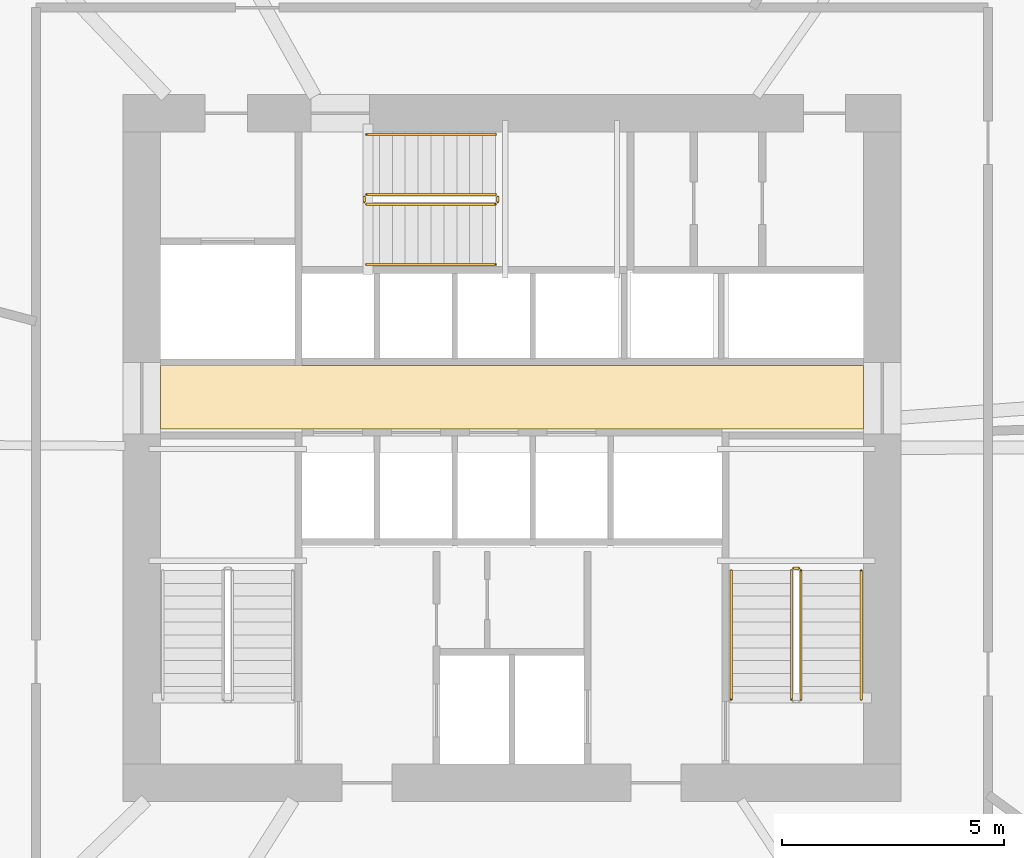
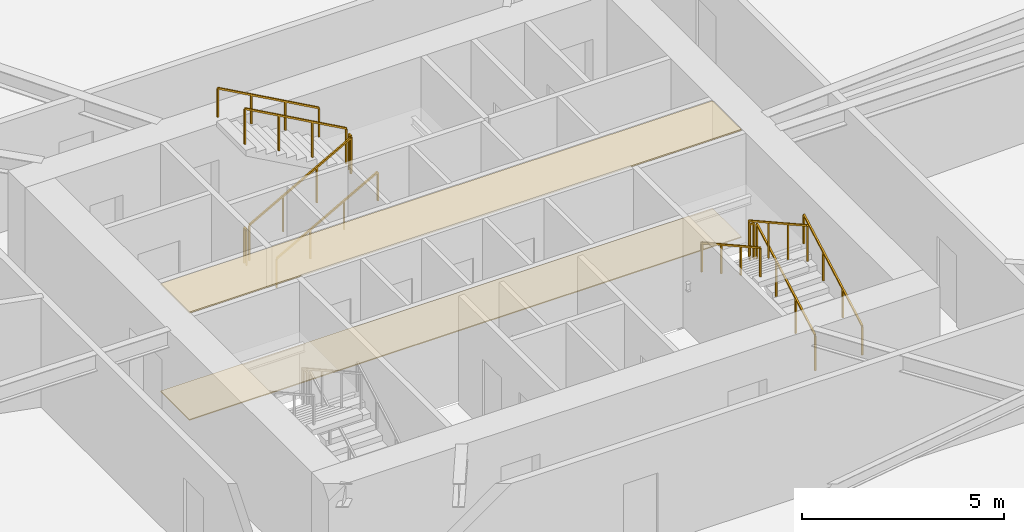
# One storey, part 23 of 24: 11 railings, 2 coverings.
"""IFC4 building model written with IfcOpenShell, lengths in metres."""

import ifcopenshell
import ifcopenshell.guid

model = None  # the IFC model being written
_history = None  # IfcOwnerHistory: only IFC2X3 demands one
_inside = {}  # id of a spatial element -> (the spatial element, [elements in it])
_under = {}  # id of a project, library or spatial element -> (it, [spatial elements below it])
_declared = {}  # id of a project -> (the project, [libraries it declares])
_typed = {}  # id of a type object -> (the type object, [elements of that type])
_made_of = {}  # id of a material, layer set ... -> (it, [elements and type objects made of it])


def new_model(schema):
    """Start an empty IFC model of exactly this schema.

    Asked for "IFC4X3", IfcOpenShell would pick the latest addendum, in which some entities
    have other attributes; the version numbers below select the first issue.
    IFC2X3 requires an IfcOwnerHistory on every rooted entity: one is made here for all.
    """
    global model, _history
    if schema == "IFC4X3":
        model = ifcopenshell.file(schema_version=(4, 3, 0, 0))
    else:
        model = ifcopenshell.file(schema=schema)
    _inside.clear()
    _under.clear()
    _declared.clear()
    _typed.clear()
    _made_of.clear()
    _history = None
    if model.schema == "IFC2X3":
        org = make("IfcOrganization", Name="unknown")
        user = make(
            "IfcPersonAndOrganization",
            ThePerson=make("IfcPerson", FamilyName="unknown"),
            TheOrganization=org,
        )
        app = make(
            "IfcApplication",
            ApplicationDeveloper=org,
            Version="unknown",
            ApplicationFullName="unknown",
            ApplicationIdentifier="unknown",
        )
        _history = make(
            "IfcOwnerHistory",
            OwningUser=user,
            OwningApplication=app,
            ChangeAction="ADDED",
            CreationDate=0,
        )
    return model


def make(cls, **values):
    """One entity of the class cls with the attributes given. An attribute that is None is left unset."""
    return model.create_entity(
        cls, **{name: value for name, value in values.items() if value is not None}
    )


def rooted(cls, **values):
    """An entity with a GlobalId (a new one), such as an element, a storey or a relation."""
    return make(cls, GlobalId=ifcopenshell.guid.new(), OwnerHistory=_history, **values)


def si_unit(unit_type, name, prefix=None):
    """IfcSIUnit, for example si_unit("LENGTHUNIT", "METRE", prefix="MILLI")."""
    return make("IfcSIUnit", UnitType=unit_type, Prefix=prefix, Name=name)


def assignment(units):
    """IfcUnitAssignment: the units of a project."""
    return None if units is None else make("IfcUnitAssignment", Units=units)


def point(xyz):
    """IfcCartesianPoint."""
    return None if xyz is None else make("IfcCartesianPoint", Coordinates=xyz)


def direction(xyz):
    """IfcDirection."""
    return None if xyz is None else make("IfcDirection", DirectionRatios=xyz)


def frame(location, z_axis=None, x_axis=None):
    """IfcAxis2Placement3D, a coordinate frame: its origin and axes. An axis left out is left unset."""
    return make(
        "IfcAxis2Placement3D",
        Location=point(location),
        Axis=direction(z_axis),
        RefDirection=direction(x_axis),
    )


def frame_2d(location, x_axis=None):
    """IfcAxis2Placement2D, a coordinate frame in the plane: its origin and x axis."""
    return make(
        "IfcAxis2Placement2D", Location=point(location), RefDirection=direction(x_axis)
    )


def origin():
    """The frame at (0, 0, 0) with its axes left unset."""
    return frame((0.0, 0.0, 0.0))


def origin_2d():
    """The frame at (0, 0) in the plane with its x axis left unset."""
    return frame_2d((0.0, 0.0))


def place(relative_to, where):
    """IfcLocalPlacement: puts the frame where relative to a parent placement (None: the world)."""
    return make(
        "IfcLocalPlacement", PlacementRelTo=relative_to, RelativePlacement=where
    )


def context(
    kind, dimensions, precision=None, world=None, true_north=None, identifier=None
):
    """IfcGeometricRepresentationContext, for example the 3D "Model" context."""
    return make(
        "IfcGeometricRepresentationContext",
        ContextIdentifier=identifier,
        ContextType=kind,
        CoordinateSpaceDimension=dimensions,
        Precision=precision,
        WorldCoordinateSystem=world,
        TrueNorth=true_north,
    )


def subcontext(parent, identifier, kind, view, scale=None):
    """IfcGeometricRepresentationSubContext, for example "Body" below "Model"."""
    return make(
        "IfcGeometricRepresentationSubContext",
        ContextIdentifier=identifier,
        ContextType=kind,
        ParentContext=parent,
        TargetScale=scale,
        TargetView=view,
    )


def project(units=None, contexts=None):
    """IfcProject with its units and contexts."""
    return rooted(
        "IfcProject",
        Name="project",
        RepresentationContexts=contexts,
        UnitsInContext=assignment(units),
    )


def spatial(cls, under=None, at=None, **own):
    """A site, building, storey or space (cls), placed at a placement, below another one or the project."""
    s = rooted(cls, ObjectPlacement=at, **own)
    if under is not None:
        _under.setdefault(under.id(), (under, []))[1].append(s)
    return s


def polyline(points):
    """IfcPolyline through the points."""
    return make("IfcPolyline", Points=[point(p) for p in points])


def profile(cls, at=None, kind="AREA", **sizes):
    """A parametric profile (cls). Its sizes go by their IFC names, for example OverallWidth=200.0."""
    return make(cls, ProfileType=kind, Position=at, **sizes)


def rectangle(**sizes):
    """IfcRectangleProfileDef."""
    return profile("IfcRectangleProfileDef", **sizes)


def outline(outer, holes=None, kind="AREA"):
    """IfcArbitraryClosedProfileDef: a profile drawn as a closed curve; with holes, ...WithVoids."""
    if holes is None:
        return make("IfcArbitraryClosedProfileDef", ProfileType=kind, OuterCurve=outer)
    return make(
        "IfcArbitraryProfileDefWithVoids",
        ProfileType=kind,
        OuterCurve=outer,
        InnerCurves=holes,
    )


def extrude(swept, where, along, depth):
    """IfcExtrudedAreaSolid: the profile swept, set in the frame where, extruded along a direction by depth."""
    return make(
        "IfcExtrudedAreaSolid",
        SweptArea=swept,
        Position=where,
        ExtrudedDirection=direction(along),
        Depth=depth,
    )


def shape(context_of_items, identifier, shape_type, items):
    """IfcShapeRepresentation: the items that make up one representation, for example the "Body"."""
    return make(
        "IfcShapeRepresentation",
        ContextOfItems=context_of_items,
        RepresentationIdentifier=identifier,
        RepresentationType=shape_type,
        Items=items,
    )


def material(Name=None, Category=None):
    """IfcMaterial."""
    return make("IfcMaterial", Name=Name, Category=Category)


def layer(
    of_material, thickness, ventilated=None, Name=None, Category=None, Priority=None
):
    """IfcMaterialLayer: one layer of a wall or slab, of a material (None: an air gap)."""
    return make(
        "IfcMaterialLayer",
        Material=of_material,
        LayerThickness=thickness,
        IsVentilated=ventilated,
        Name=Name,
        Category=Category,
        Priority=Priority,
    )


def layer_set(layers, Name=None):
    """IfcMaterialLayerSet."""
    return make("IfcMaterialLayerSet", MaterialLayers=layers, LayerSetName=Name)


def made_of(thing, what):
    """Note that an element or type object is made of a material, layer set ...; save() writes the relation."""
    if what is not None:
        _made_of.setdefault(what.id(), (what, []))[1].append(thing)
    return thing


def type_object(cls, material=None, **own):
    """A type object (cls), such as IfcWallType, which elements share."""
    return made_of(rooted(cls, **own), material)


def element(
    cls,
    number,
    at=None,
    inside=None,
    cuts=None,
    type_object=None,
    material=None,
    context=None,
    identifier="Body",
    shape_type=None,
    held_by="IfcProductDefinitionShape",
    body=None,
    shapes=None,
    **own,
):
    """One element of the class cls, such as IfcWall. Its Tag is "e" and its number.

    at: its placement. inside: the storey or other place that contains it. cuts: it is an
    opening in that element (IfcRelVoidsElement). A single representation is given by context,
    identifier, shape_type and body (its items); several are given by shapes. held_by: the class
    of the entity that holds the representations. save() writes the other relations.
    """
    e = rooted(cls, Tag="e%d" % number, ObjectPlacement=at, **own)
    if body is not None:
        shapes = [shape(context, identifier, shape_type, body)]
    if shapes is not None:
        e.Representation = make(held_by, Representations=shapes)
    if inside is not None:
        _inside.setdefault(inside.id(), (inside, []))[1].append(e)
    if cuts is not None:
        rooted(
            "IfcRelVoidsElement", RelatingBuildingElement=cuts, RelatedOpeningElement=e
        )
    if type_object is not None:
        _typed.setdefault(type_object.id(), (type_object, []))[1].append(e)
    return made_of(e, material)


def aggregate(whole, parts):
    """IfcRelAggregates: a whole, such as a stair, and the parts it consists of."""
    return rooted("IfcRelAggregates", RelatingObject=whole, RelatedObjects=parts)


def save(model, path):
    """Write the relations noted so far, then the file.

    IfcRelAggregates (storeys below a building ...), IfcRelContainedInSpatialStructure (elements
    in a storey), IfcRelDefinesByType, IfcRelAssociatesMaterial and IfcRelDeclares: one each for
    every whole, place, type object, material and project.
    """
    for whole, parts in _under.values():
        aggregate(whole, parts)
    for where, things in _inside.values():
        rooted(
            "IfcRelContainedInSpatialStructure",
            RelatedElements=things,
            RelatingStructure=where,
        )
    for kind, things in _typed.values():
        rooted("IfcRelDefinesByType", RelatedObjects=things, RelatingType=kind)
    for what, things in _made_of.values():
        rooted("IfcRelAssociatesMaterial", RelatedObjects=things, RelatingMaterial=what)
    for by, libraries in _declared.values():
        rooted("IfcRelDeclares", RelatingContext=by, RelatedDefinitions=libraries)
    model.write(path)


model = new_model("IFC4")

# Units and contexts
model_context = context("Model", 3, precision=1e-05, world=origin(), true_north=direction((0.0, 1.0)))
body_context = subcontext(model_context, "Body", "Model", "MODEL_VIEW")
ifc_project = project(units=[si_unit("LENGTHUNIT", "METRE"), si_unit("AREAUNIT", "SQUARE_METRE"), si_unit("VOLUMEUNIT", "CUBIC_METRE"), si_unit("PLANEANGLEUNIT", "RADIAN"), si_unit("MASSUNIT", "GRAM", prefix="KILO")], contexts=[model_context])

# Site, building, storey
site_placement = place(None, origin())
site = spatial("IfcSite", under=ifc_project, at=site_placement, CompositionType="ELEMENT")
building_placement = place(site_placement, origin())
building = spatial("IfcBuilding", under=site, at=building_placement, Name="Olszyna Solenne Hotel", CompositionType="ELEMENT")
storey_placement = place(building_placement, frame((0.0, 0.0, 36.39990234375)))
storey = spatial("IfcBuildingStorey", under=building, at=storey_placement, Name="L08", CompositionType="ELEMENT", Elevation=36.39990234375)

# Coverings
ifc_material_1 = material(Name="Mineral wool acoustic ceiling")
ifc_layer_1 = layer(ifc_material_1, 0.0400390625, Name="Mineral wool acoustic ceiling")
ifc_layer_set_1 = layer_set([ifc_layer_1], Name="Mineral wool acoustic ceiling")
covering_type_1 = type_object("IfcCoveringType", Name="CL-AC1", PredefinedType="CEILING", material=ifc_layer_set_1)
covering_1_placement = place(storey_placement, frame((0.0, 0.0, 3.239990234375)))
element("IfcCovering", 1, at=covering_1_placement, inside=storey, type_object=covering_type_1, Name="Lift lobby acoustic tile ceiling CL-L08-01", PredefinedType="CEILING", context=body_context, shape_type="SweptSolid", body=[
    extrude(outline(polyline([(30.10009765625, 27.030029296875), (45.89990234375, 27.030029296875), (45.89990234375, 28.4599609375), (30.10009765625, 28.4599609375), (30.10009765625, 27.030029296875)])), origin(), (0.0, 0.0, 1.0), 0.0400390625),
])
ifc_material_2 = material(Name="Ceramic floor tile")
ifc_layer_2 = layer(ifc_material_2, 0.030029296875, Name="Ceramic floor tile")
ifc_layer_set_2 = layer_set([ifc_layer_2], Name="Ceramic floor tile")
covering_type_2 = type_object("IfcCoveringType", Name="FL-TL1", PredefinedType="FLOORING", material=ifc_layer_set_2)
covering_2_placement = place(storey_placement, origin())
element("IfcCovering", 2, at=covering_2_placement, inside=storey, type_object=covering_type_2, Name="Lift lobby stoneware floor finish FLR-L08-01", PredefinedType="FLOORING", context=body_context, shape_type="SweptSolid", body=[
    extrude(outline(polyline([(30.10009765625, 27.030029296875), (45.89990234375, 27.030029296875), (45.89990234375, 28.4599609375), (30.10009765625, 28.4599609375), (30.10009765625, 27.030029296875)])), origin(), (0.0, 0.0, 1.0), 0.030029296875),
])

# Railings
ifc_material_3 = material(Name="Anodised bronze aluminium", Category="aluminium")
railing_type_1 = type_object("IfcRailingType", Name="GR-110", PredefinedType="BALUSTRADE", material=ifc_material_3)
railing_1_placement = place(storey_placement, frame((44.5, 20.949951171875, 0.161376953125)))
element("IfcRailing", 3, at=railing_1_placement, inside=storey, type_object=railing_type_1, Name="L08 ST2 stair guard 1", PredefinedType="BALUSTRADE", context=body_context, shape_type="SweptSolid", body=[
    extrude(rectangle(XDim=0.048095703125, YDim=0.048095703125, at=origin_2d()), frame((0.0, 0.0, 1.076171875), z_axis=(0.0, 0.873827439584, 0.48623616261), x_axis=(-1.0, 0.0, 0.0)), (0.0, 0.0, 1.0), 3.31884765625),
    extrude(rectangle(XDim=0.0419921875, YDim=0.0419921875, at=origin_2d()), origin(), (0.0, 0.0, 1.0), 1.052001953125),
    extrude(rectangle(XDim=0.0419921875, YDim=0.0419921875, at=origin_2d()), frame((0.0, 0.966796875, 0.537841796875)), (0.0, 0.0, 1.0), 1.052001953125),
    extrude(rectangle(XDim=0.0419921875, YDim=0.0419921875, at=origin_2d()), frame((0.0, 1.933349609375, 1.075927734375)), (0.0, 0.0, 1.0), 1.052001953125),
    extrude(rectangle(XDim=0.0419921875, YDim=0.0419921875, at=origin_2d()), frame((0.0, 2.900146484375, 1.61376953125)), (0.0, 0.0, 1.0), 1.052001953125),
])
railing_2_placement = place(storey_placement, frame((44.449951171875, 23.89990234375, 1.775146484375)))
element("IfcRailing", 4, at=railing_2_placement, inside=storey, type_object=railing_type_1, Name="L08 ST2 stair guard 2", PredefinedType="BALUSTRADE", context=body_context, shape_type="SweptSolid", body=[
    extrude(rectangle(XDim=0.048095703125, YDim=0.048095703125, at=origin_2d()), frame((0.0, 0.0, 1.076171875), z_axis=(-1.0, 0.0, 0.0), x_axis=(0.0, -1.0, 0.0)), (0.0, 0.0, 1.0), 0.119873046875),
    extrude(rectangle(XDim=0.0419921875, YDim=0.0419921875, at=origin_2d()), origin(), (0.0, 0.0, 1.0), 1.052001953125),
    extrude(rectangle(XDim=0.0419921875, YDim=0.0419921875, at=origin_2d()), frame((-0.119873046875, 0.0, 0.0)), (0.0, 0.0, 1.0), 1.052001953125),
])
railing_3_placement = place(storey_placement, frame((44.280029296875, 23.85009765625, 1.9365234375)))
element("IfcRailing", 5, at=railing_3_placement, inside=storey, type_object=railing_type_1, Name="L08 ST2 stair guard 3", PredefinedType="BALUSTRADE", context=body_context, shape_type="SweptSolid", body=[
    extrude(rectangle(XDim=0.048095703125, YDim=0.048095703125, at=origin_2d()), frame((0.0, 0.0, 1.076171875), z_axis=(0.0, -0.873858693841, 0.486179990537), x_axis=(1.0, 0.0, 0.0)), (0.0, 0.0, 1.0), 3.31884765625),
    extrude(rectangle(XDim=0.0419921875, YDim=0.0419921875, at=origin_2d()), origin(), (0.0, 0.0, 1.0), 1.052001953125),
    extrude(rectangle(XDim=0.0419921875, YDim=0.0419921875, at=origin_2d()), frame((0.0, -0.966796875, 0.537841796875)), (0.0, 0.0, 1.0), 1.052001953125),
    extrude(rectangle(XDim=0.0419921875, YDim=0.0419921875, at=origin_2d()), frame((0.0, -1.933349609375, 1.07568359375)), (0.0, 0.0, 1.0), 1.052001953125),
    extrude(rectangle(XDim=0.0419921875, YDim=0.0419921875, at=origin_2d()), frame((0.0, -2.900146484375, 1.613525390625)), (0.0, 0.0, 1.0), 1.052001953125),
])
railing_4_placement = place(storey_placement, frame((34.72998046875, 32.080078125, 0.161376953125)))
element("IfcRailing", 6, at=railing_4_placement, inside=storey, type_object=railing_type_1, Name="L08 ST3 stair guard 1", PredefinedType="BALUSTRADE", context=body_context, shape_type="SweptSolid", body=[
    extrude(rectangle(XDim=0.048095703125, YDim=0.048095703125, at=origin_2d()), frame((0.0, 0.0, 1.076171875), z_axis=(0.873810046276, 0.0, 0.486267419253), x_axis=(0.0, 1.0, 0.0)), (0.0, 0.0, 1.0), 3.318603515625),
    extrude(rectangle(XDim=0.0419921875, YDim=0.0419921875, at=origin_2d()), origin(), (0.0, 0.0, 1.0), 1.052001953125),
    extrude(rectangle(XDim=0.0419921875, YDim=0.0419921875, at=origin_2d()), frame((0.966552734375, 0.0, 0.537841796875)), (0.0, 0.0, 1.0), 1.052001953125),
    extrude(rectangle(XDim=0.0419921875, YDim=0.0419921875, at=origin_2d()), frame((1.933349609375, 0.0, 1.075927734375)), (0.0, 0.0, 1.0), 1.052001953125),
    extrude(rectangle(XDim=0.0419921875, YDim=0.0419921875, at=origin_2d()), frame((2.89990234375, 0.0, 1.61376953125)), (0.0, 0.0, 1.0), 1.052001953125),
])
railing_5_placement = place(storey_placement, frame((37.679931640625, 32.1298828125, 1.775146484375)))
element("IfcRailing", 7, at=railing_5_placement, inside=storey, type_object=railing_type_1, Name="L08 ST3 stair guard 2", PredefinedType="BALUSTRADE", context=body_context, shape_type="SweptSolid", body=[
    extrude(rectangle(XDim=0.048095703125, YDim=0.048095703125, at=origin_2d()), frame((0.0, 0.0, 1.076171875), z_axis=(0.0, 1.0, 0.0), x_axis=(-1.0, 0.0, 0.0)), (0.0, 0.0, 1.0), 0.1201171875),
    extrude(rectangle(XDim=0.0419921875, YDim=0.0419921875, at=origin_2d()), origin(), (0.0, 0.0, 1.0), 1.052001953125),
    extrude(rectangle(XDim=0.0419921875, YDim=0.0419921875, at=origin_2d()), frame((0.0, 0.1201171875, 0.0)), (0.0, 0.0, 1.0), 1.052001953125),
])
railing_6_placement = place(storey_placement, frame((37.6298828125, 32.300048828125, 1.9365234375)))
element("IfcRailing", 8, at=railing_6_placement, inside=storey, type_object=railing_type_1, Name="L08 ST3 stair guard 3", PredefinedType="BALUSTRADE", context=body_context, shape_type="SweptSolid", body=[
    extrude(rectangle(XDim=0.048095703125, YDim=0.048095703125, at=origin_2d()), frame((0.0, 0.0, 1.076171875), z_axis=(-0.873841303929, 0.0, 0.486211245805), x_axis=(0.0, -1.0, 0.0)), (0.0, 0.0, 1.0), 3.318603515625),
    extrude(rectangle(XDim=0.0419921875, YDim=0.0419921875, at=origin_2d()), origin(), (0.0, 0.0, 1.0), 1.052001953125),
    extrude(rectangle(XDim=0.0419921875, YDim=0.0419921875, at=origin_2d()), frame((-0.966552734375, 0.0, 0.537841796875)), (0.0, 0.0, 1.0), 1.052001953125),
    extrude(rectangle(XDim=0.0419921875, YDim=0.0419921875, at=origin_2d()), frame((-1.933349609375, 0.0, 1.07568359375)), (0.0, 0.0, 1.0), 1.052001953125),
    extrude(rectangle(XDim=0.0419921875, YDim=0.0419921875, at=origin_2d()), frame((-2.89990234375, 0.0, 1.613525390625)), (0.0, 0.0, 1.0), 1.052001953125),
])
railing_7_placement = place(storey_placement, frame((34.679931640625, 32.1298828125, 0.0)))
element("IfcRailing", 9, at=railing_7_placement, inside=storey, type_object=railing_type_1, Name="L08 ST3 stair guard 4", PredefinedType="BALUSTRADE", context=body_context, shape_type="SweptSolid", body=[
    extrude(rectangle(XDim=0.048095703125, YDim=0.048095703125, at=origin_2d()), frame((0.0, 0.0, 1.076171875), z_axis=(0.0, 1.0, 0.0), x_axis=(-1.0, 0.0, 0.0)), (0.0, 0.0, 1.0), 0.1201171875),
    extrude(rectangle(XDim=0.0419921875, YDim=0.0419921875, at=origin_2d()), origin(), (0.0, 0.0, 1.0), 1.052001953125),
    extrude(rectangle(XDim=0.0419921875, YDim=0.0419921875, at=origin_2d()), frame((0.0, 0.1201171875, 0.0)), (0.0, 0.0, 1.0), 1.052001953125),
])
ifc_material_4 = material(Name="Steel S355J2", Category="steel")
railing_type_2 = type_object("IfcRailingType", Name="HR-090", PredefinedType="HANDRAIL", material=ifc_material_4)
railing_8_placement = place(storey_placement, frame((45.85009765625, 20.949951171875, 0.161376953125)))
element("IfcRailing", 10, at=railing_8_placement, inside=storey, type_object=railing_type_2, Name="L08 ST2 stair handrail 1", PredefinedType="HANDRAIL", context=body_context, shape_type="SweptSolid", body=[
    extrude(rectangle(XDim=0.048095703125, YDim=0.048095703125, at=origin_2d()), frame((0.0, 0.0, 0.8759765625), z_axis=(0.0, 0.873827439584, 0.48623616261), x_axis=(-1.0, 0.0, 0.0)), (0.0, 0.0, 1.0), 3.31884765625),
    extrude(rectangle(XDim=0.0419921875, YDim=0.0419921875, at=origin_2d()), origin(), (0.0, 0.0, 1.0), 0.851806640625),
    extrude(rectangle(XDim=0.0419921875, YDim=0.0419921875, at=origin_2d()), frame((0.0, 0.966796875, 0.537841796875)), (0.0, 0.0, 1.0), 0.851806640625),
    extrude(rectangle(XDim=0.0419921875, YDim=0.0419921875, at=origin_2d()), frame((0.0, 1.933349609375, 1.075927734375)), (0.0, 0.0, 1.0), 0.851806640625),
    extrude(rectangle(XDim=0.0419921875, YDim=0.0419921875, at=origin_2d()), frame((0.0, 2.900146484375, 1.61376953125)), (0.0, 0.0, 1.0), 0.851806640625),
])
railing_9_placement = place(storey_placement, frame((42.929931640625, 23.85009765625, 1.9365234375)))
element("IfcRailing", 11, at=railing_9_placement, inside=storey, type_object=railing_type_2, Name="L08 ST2 stair handrail 2", PredefinedType="HANDRAIL", context=body_context, shape_type="SweptSolid", body=[
    extrude(rectangle(XDim=0.048095703125, YDim=0.048095703125, at=origin_2d()), frame((0.0, 0.0, 0.8759765625), z_axis=(0.0, -0.873858693841, 0.486179990537), x_axis=(1.0, 0.0, 0.0)), (0.0, 0.0, 1.0), 3.31884765625),
    extrude(rectangle(XDim=0.0419921875, YDim=0.0419921875, at=origin_2d()), origin(), (0.0, 0.0, 1.0), 0.851806640625),
    extrude(rectangle(XDim=0.0419921875, YDim=0.0419921875, at=origin_2d()), frame((0.0, -0.966796875, 0.537841796875)), (0.0, 0.0, 1.0), 0.851806640625),
    extrude(rectangle(XDim=0.0419921875, YDim=0.0419921875, at=origin_2d()), frame((0.0, -1.933349609375, 1.07568359375)), (0.0, 0.0, 1.0), 0.851806640625),
    extrude(rectangle(XDim=0.0419921875, YDim=0.0419921875, at=origin_2d()), frame((0.0, -2.900146484375, 1.613525390625)), (0.0, 0.0, 1.0), 0.851806640625),
])
railing_10_placement = place(storey_placement, frame((34.72998046875, 30.72998046875, 0.161376953125)))
element("IfcRailing", 12, at=railing_10_placement, inside=storey, type_object=railing_type_2, Name="L08 ST3 stair handrail 1", PredefinedType="HANDRAIL", context=body_context, shape_type="SweptSolid", body=[
    extrude(rectangle(XDim=0.048095703125, YDim=0.048095703125, at=origin_2d()), frame((0.0, 0.0, 0.8759765625), z_axis=(0.873810046276, 0.0, 0.486267419253), x_axis=(0.0, 1.0, 0.0)), (0.0, 0.0, 1.0), 3.318603515625),
    extrude(rectangle(XDim=0.0419921875, YDim=0.0419921875, at=origin_2d()), origin(), (0.0, 0.0, 1.0), 0.851806640625),
    extrude(rectangle(XDim=0.0419921875, YDim=0.0419921875, at=origin_2d()), frame((0.966552734375, 0.0, 0.537841796875)), (0.0, 0.0, 1.0), 0.851806640625),
    extrude(rectangle(XDim=0.0419921875, YDim=0.0419921875, at=origin_2d()), frame((1.933349609375, 0.0, 1.075927734375)), (0.0, 0.0, 1.0), 0.851806640625),
    extrude(rectangle(XDim=0.0419921875, YDim=0.0419921875, at=origin_2d()), frame((2.89990234375, 0.0, 1.61376953125)), (0.0, 0.0, 1.0), 0.851806640625),
])
railing_11_placement = place(storey_placement, frame((37.6298828125, 33.64990234375, 1.9365234375)))
element("IfcRailing", 13, at=railing_11_placement, inside=storey, type_object=railing_type_2, Name="L08 ST3 stair handrail 2", PredefinedType="HANDRAIL", context=body_context, shape_type="SweptSolid", body=[
    extrude(rectangle(XDim=0.048095703125, YDim=0.048095703125, at=origin_2d()), frame((0.0, 0.0, 0.8759765625), z_axis=(-0.873841303929, 0.0, 0.486211245805), x_axis=(0.0, -1.0, 0.0)), (0.0, 0.0, 1.0), 3.318603515625),
    extrude(rectangle(XDim=0.0419921875, YDim=0.0419921875, at=origin_2d()), origin(), (0.0, 0.0, 1.0), 0.851806640625),
    extrude(rectangle(XDim=0.0419921875, YDim=0.0419921875, at=origin_2d()), frame((-0.966552734375, 0.0, 0.537841796875)), (0.0, 0.0, 1.0), 0.851806640625),
    extrude(rectangle(XDim=0.0419921875, YDim=0.0419921875, at=origin_2d()), frame((-1.933349609375, 0.0, 1.07568359375)), (0.0, 0.0, 1.0), 0.851806640625),
    extrude(rectangle(XDim=0.0419921875, YDim=0.0419921875, at=origin_2d()), frame((-2.89990234375, 0.0, 1.613525390625)), (0.0, 0.0, 1.0), 0.851806640625),
])

save(model, "model.ifc")
